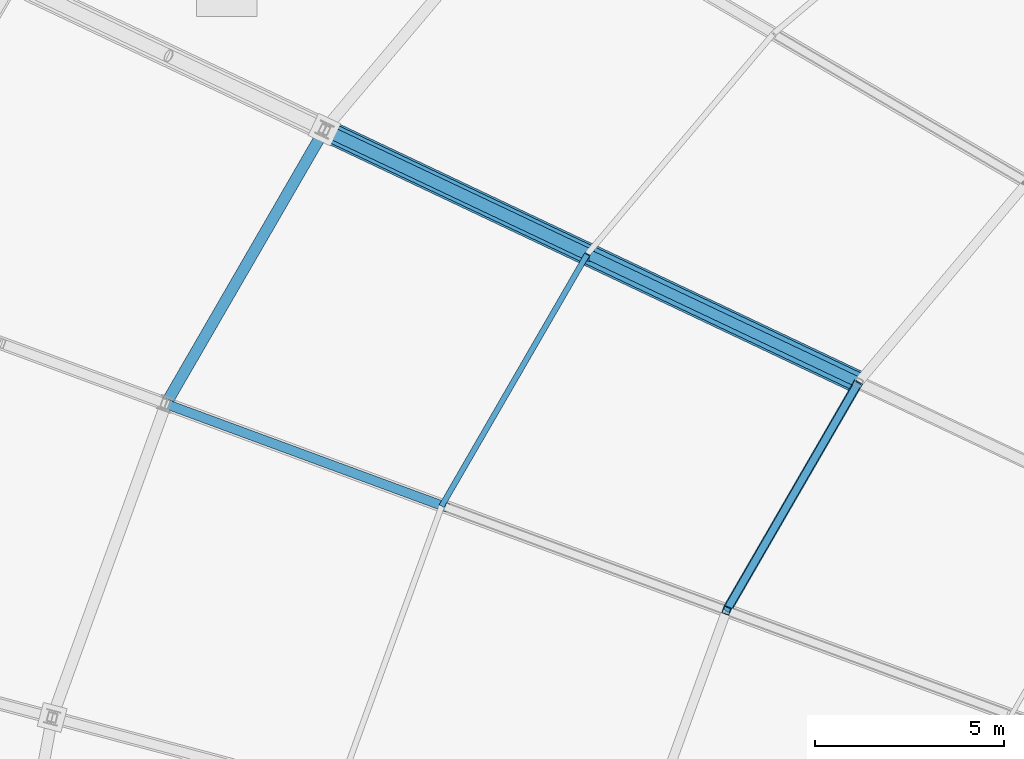
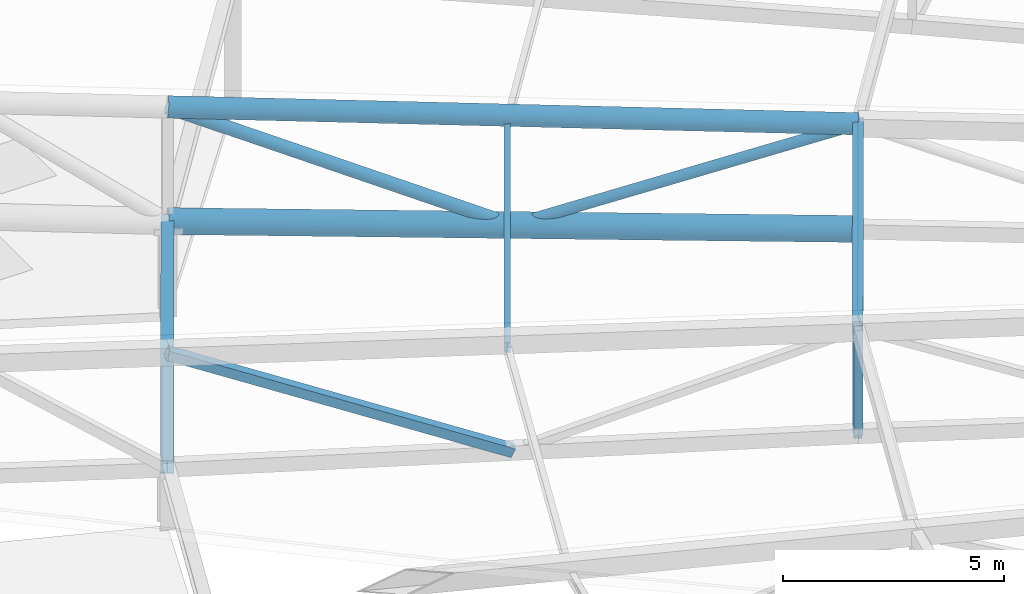
# One storey, part 46 of 143: 6 members, 4 beams.
"""IFC4 building model written with IfcOpenShell, lengths in metres."""

from ifc_helpers import new_model, si_unit, direction, frame, origin, origin_2d, place, context, subcontext, project, spatial, hollow_rectangle, hollow_circle, i_section, extrude, material, material_profile, profile_set, type_object, element, save


model = new_model("IFC4")

# Units and contexts
model_context = context("Model", 3, precision=1e-05, world=origin(), true_north=direction((0.0, 1.0)))
body_context = subcontext(model_context, "Body", "Model", "MODEL_VIEW")
ifc_project = project(units=[si_unit("LENGTHUNIT", "METRE"), si_unit("AREAUNIT", "SQUARE_METRE"), si_unit("VOLUMEUNIT", "CUBIC_METRE"), si_unit("PLANEANGLEUNIT", "RADIAN"), si_unit("MASSUNIT", "GRAM", prefix="KILO")], contexts=[model_context])

# Site, building, storey
site_placement = place(None, origin())
site = spatial("IfcSite", under=ifc_project, at=site_placement, CompositionType="ELEMENT")
building_placement = place(site_placement, origin())
building = spatial("IfcBuilding", under=site, at=building_placement, Name="Mphavela Belvedere Stadium", CompositionType="ELEMENT")
storey_placement = place(building_placement, frame((0.0, 0.0, 28.800048828125)))
storey = spatial("IfcBuildingStorey", under=building, at=storey_placement, Name="RF", CompositionType="ELEMENT", Elevation=28.800048828125)

# Beams
ifc_material_1 = material(Name="Steel S355", Category="steel")
ifc_material_profile_1 = material_profile(ifc_material_1, hollow_rectangle(XDim=0.25, YDim=0.39990234375, WallThickness=0.01611328125, at=origin_2d()), Name="RHS 400x250x16")
ifc_profile_set_1 = profile_set([ifc_material_profile_1], Name="Steel S355")
beam_type_1 = type_object("IfcBeamType", Name="BM-RING-MID", PredefinedType="BEAM", material=ifc_profile_set_1)
beam_1_placement = place(storey_placement, frame((45.16552734375, 120.054931640625, 4.30712890625), z_axis=(-0.497680338118, -0.860704872165, -0.107244599316), x_axis=(0.865697638818, -0.500567276343, 0.0)))
element("IfcBeam", 1, at=beam_1_placement, inside=storey, type_object=beam_type_1, Name="Intermediate roof ring beam RB-MID-21", PredefinedType="BEAM", context=body_context, shape_type="SweptSolid", body=[
    extrude(hollow_rectangle(XDim=0.25, YDim=0.39990234375, WallThickness=0.01611328125, at=origin_2d()), origin(), (0.0, 0.0, 1.0), 7.018310546875),
])
ifc_material_2 = material(Name="Steel S355", Category="steel")
ifc_material_profile_2 = material_profile(ifc_material_2, i_section(OverallWidth=0.300048828125, OverallDepth=0.39990234375, WebThickness=0.013427734375, FlangeThickness=0.02392578125, at=origin_2d()), Name="HEB 400")
ifc_profile_set_2 = profile_set([ifc_material_profile_2], Name="Steel S355")
beam_type_2 = type_object("IfcBeamType", Name="BM-STEEL-HEB400", PredefinedType="BEAM", material=ifc_profile_set_2)
beam_2_placement = place(storey_placement, frame((31.0244140625, 126.748291015625, 2.516357421875), z_axis=(-0.497661073129, -0.860716730152, -0.107238830325), x_axis=(0.865709023765, -0.500547586322, 0.0)))
element("IfcBeam", 2, at=beam_2_placement, inside=storey, type_object=beam_type_2, Name="Roof bottom-chord tie girder R3-21", PredefinedType="BEAM", context=body_context, shape_type="SweptSolid", body=[
    extrude(i_section(OverallWidth=0.300048828125, OverallDepth=0.39990234375, WebThickness=0.013427734375, FlangeThickness=0.02392578125, at=origin_2d()), origin(), (0.0, 0.0, 1.0), 8.439453125),
])
ifc_material_3 = material(Name="Steel S355", Category="steel")
ifc_material_profile_3 = material_profile(ifc_material_3, hollow_circle(Radius=0.304931640625, WallThickness=0.02490234375, at=origin_2d()), Name="CHS 610x25")
ifc_profile_set_3 = profile_set([ifc_material_profile_3], Name="Steel S355")
beam_type_3 = type_object("IfcBeamType", Name="BM-TRUSS-BC1", PredefinedType="BEAM", material=ifc_profile_set_3)
beam_3_placement = place(storey_placement, frame((31.0244140625, 126.748291015625, 2.516357421875), z_axis=(0.901600208715, -0.426750998276, -0.070715267915), x_axis=(0.427822032856, 0.903862991942, 0.0)))
element("IfcBeam", 3, at=beam_3_placement, inside=storey, type_object=beam_type_3, Name="Radial roof truss RT-21 bottom chord 2", PredefinedType="BEAM", context=body_context, shape_type="SweptSolid", body=[
    extrude(hollow_circle(Radius=0.304931640625, WallThickness=0.02490234375, at=origin_2d()), origin(), (0.0, 0.0, 1.0), 15.6845703125),
])
ifc_material_4 = material(Name="Steel S355", Category="steel")
ifc_material_profile_4 = material_profile(ifc_material_4, hollow_circle(Radius=0.25390625, WallThickness=0.02490234375, at=origin_2d()), Name="CHS 508x25")
ifc_profile_set_4 = profile_set([ifc_material_profile_4], Name="Steel S355")
beam_type_4 = type_object("IfcBeamType", Name="BM-TRUSS-TC1", PredefinedType="BEAM", material=ifc_profile_set_4)
beam_4_placement = place(storey_placement, frame((31.0244140625, 126.748291015625, 5.666259765625), z_axis=(0.900471557022, -0.426216777862, -0.086546133731), x_axis=(0.427822032856, 0.903862991942, 0.0)))
element("IfcBeam", 4, at=beam_4_placement, inside=storey, type_object=beam_type_4, Name="Radial roof truss RT-21 top chord 2", PredefinedType="BEAM", context=body_context, shape_type="SweptSolid", body=[
    extrude(hollow_circle(Radius=0.25390625, WallThickness=0.02490234375, at=origin_2d()), origin(), (0.0, 0.0, 1.0), 15.7041015625),
])

# Members
ifc_material_5 = material(Name="Steel S355", Category="steel")
ifc_material_profile_5 = material_profile(ifc_material_5, hollow_circle(Radius=0.136474609375, WallThickness=0.012451171875, at=origin_2d()), Name="CHS 273x12.5")
ifc_profile_set_5 = profile_set([ifc_material_profile_5], Name="Steel S355")
member_type_1 = type_object("IfcMemberType", Name="MEM-DIAG-273", PredefinedType="BRACE", material=ifc_profile_set_5)
member_1_placement = place(storey_placement, frame((38.094970703125, 123.401611328125, 1.961669921875), z_axis=(0.86578394162, -0.40979822077, 0.287199555511), x_axis=(0.427822032856, 0.903862991942, 0.0)))
element("IfcMember", 5, at=member_1_placement, inside=storey, type_object=member_type_1, Name="Radial roof truss RT-21 web diagonal D4", PredefinedType="BRACE", context=body_context, shape_type="SweptSolid", body=[
    extrude(hollow_circle(Radius=0.136474609375, WallThickness=0.012451171875, at=origin_2d()), origin(), (0.0, 0.0, 1.0), 8.166748046875),
])
ifc_material_6 = material(Name="Steel S355", Category="steel")
ifc_material_profile_6 = material_profile(ifc_material_6, hollow_circle(Radius=0.161865234375, WallThickness=0.01611328125, at=origin_2d()), Name="CHS 323.9x16")
ifc_profile_set_6 = profile_set([ifc_material_profile_6], Name="Steel S355")
member_type_2 = type_object("IfcMemberType", Name="MEM-DIAG-324", PredefinedType="BRACE", material=ifc_profile_set_6)
member_2_placement = place(storey_placement, frame((31.0244140625, 126.748291015625, 5.666259765625), z_axis=(0.816889573167, -0.386655235281, -0.428006021313), x_axis=(0.427822032856, 0.903862991942, 0.0)))
element("IfcMember", 6, at=member_2_placement, inside=storey, type_object=member_type_2, Name="Radial roof truss RT-21 web diagonal D3", PredefinedType="BRACE", context=body_context, shape_type="SweptSolid", body=[
    extrude(hollow_circle(Radius=0.161865234375, WallThickness=0.01611328125, at=origin_2d()), origin(), (0.0, 0.0, 1.0), 8.655517578125),
])
ifc_material_7 = material(Name="Steel S355", Category="steel")
ifc_material_profile_7 = material_profile(ifc_material_7, hollow_rectangle(XDim=0.199951171875, YDim=0.199951171875, WallThickness=0.010009765625, at=origin_2d()), Name="SHS 200x200x10")
ifc_profile_set_7 = profile_set([ifc_material_profile_7], Name="Steel S355")
member_type_3 = type_object("IfcMemberType", Name="MEM-POST-SHS200", PredefinedType="POST", material=ifc_profile_set_7)
member_3_placement = place(storey_placement, frame((41.672607421875, 114.01416015625, 0.654541015625), z_axis=(0.0, 0.0, 1.0), x_axis=(-0.938372433776, 0.34562577382, 0.0)))
element("IfcMember", 7, at=member_3_placement, inside=storey, type_object=member_type_3, Name="Radial roof truss RT-22 post P3", PredefinedType="POST", context=body_context, shape_type="SweptSolid", body=[
    extrude(hollow_rectangle(XDim=0.199951171875, YDim=0.199951171875, WallThickness=0.010009765625, at=origin_2d()), origin(), (0.0, 0.0, 1.0), 2.89990234375),
])
ifc_material_8 = material(Name="Steel S355", Category="steel")
ifc_material_profile_8 = material_profile(ifc_material_8, hollow_rectangle(XDim=0.25, YDim=0.25, WallThickness=0.012451171875, at=origin_2d()), Name="SHS 250x250x12.5")
ifc_profile_set_8 = profile_set([ifc_material_profile_8], Name="Steel S355")
member_type_4 = type_object("IfcMemberType", Name="MEM-POST-SHS250", PredefinedType="POST", material=ifc_profile_set_8)
member_4_placement = place(storey_placement, frame((26.824462890625, 119.484375, 4.76123046875), z_axis=(0.852939960364, -0.314232180472, -0.416835172185), x_axis=(0.345696778918, 0.938346277792, 0.0)))
element("IfcMember", 8, at=member_4_placement, inside=storey, type_object=member_type_4, Name="Radial roof truss RT-22 web diagonal D3", PredefinedType="POST", context=body_context, shape_type="SweptSolid", body=[
    extrude(hollow_rectangle(XDim=0.25, YDim=0.25, WallThickness=0.012451171875, at=origin_2d()), origin(), (0.0, 0.0, 1.0), 8.7041015625),
])
ifc_material_9 = material(Name="Steel S355", Category="steel")
ifc_material_profile_9 = material_profile(ifc_material_9, i_section(OverallWidth=0.14990234375, OverallDepth=0.300048828125, WebThickness=0.007080078125, FlangeThickness=0.0107421875, at=origin_2d()), Name="IPE 300")
ifc_profile_set_9 = profile_set([ifc_material_profile_9], Name="Steel S355")
member_type_5 = type_object("IfcMemberType", Name="MEM-PURLIN-IPE300", PredefinedType="PURLIN", material=ifc_profile_set_9)
member_5_placement = place(storey_placement, frame((37.986083984375, 123.453125, 4.807373046875), z_axis=(-0.497656529019, -0.860718368977, -0.107246764193), x_axis=(0.865711417256, -0.500543446698, 0.0)))
element("IfcMember", 9, at=member_5_placement, inside=storey, type_object=member_type_5, Name="Saddle canopy steel purlin 21-2", PredefinedType="PURLIN", context=body_context, shape_type="SweptSolid", body=[
    extrude(i_section(OverallWidth=0.14990234375, OverallDepth=0.300048828125, WebThickness=0.007080078125, FlangeThickness=0.0107421875, at=origin_2d()), origin(), (0.0, 0.0, 1.0), 7.739990234375),
])
ifc_material_10 = material(Name="Steel S355", Category="steel")
ifc_material_profile_10 = material_profile(ifc_material_10, hollow_rectangle(XDim=0.199951171875, YDim=0.300048828125, WallThickness=0.011962890625, at=origin_2d()), Name="RHS 300x200x12")
ifc_profile_set_10 = profile_set([ifc_material_profile_10], Name="Steel S355")
member_type_6 = type_object("IfcMemberType", Name="MEM-SEC-CHORD", PredefinedType="CHORD", material=ifc_profile_set_10)
member_6_placement = place(storey_placement, frame((45.16552734375, 120.054931640625, 1.4072265625), z_axis=(-0.497680338118, -0.860704872165, -0.107244599316), x_axis=(0.865697638818, -0.500567276343, 0.0)))
element("IfcMember", 10, at=member_6_placement, inside=storey, type_object=member_type_6, Name="Secondary bottom roof tie chord 21", PredefinedType="CHORD", context=body_context, shape_type="SweptSolid", body=[
    extrude(hollow_rectangle(XDim=0.199951171875, YDim=0.300048828125, WallThickness=0.011962890625, at=origin_2d()), origin(), (0.0, 0.0, 1.0), 7.018310546875),
])

save(model, "model.ifc")
